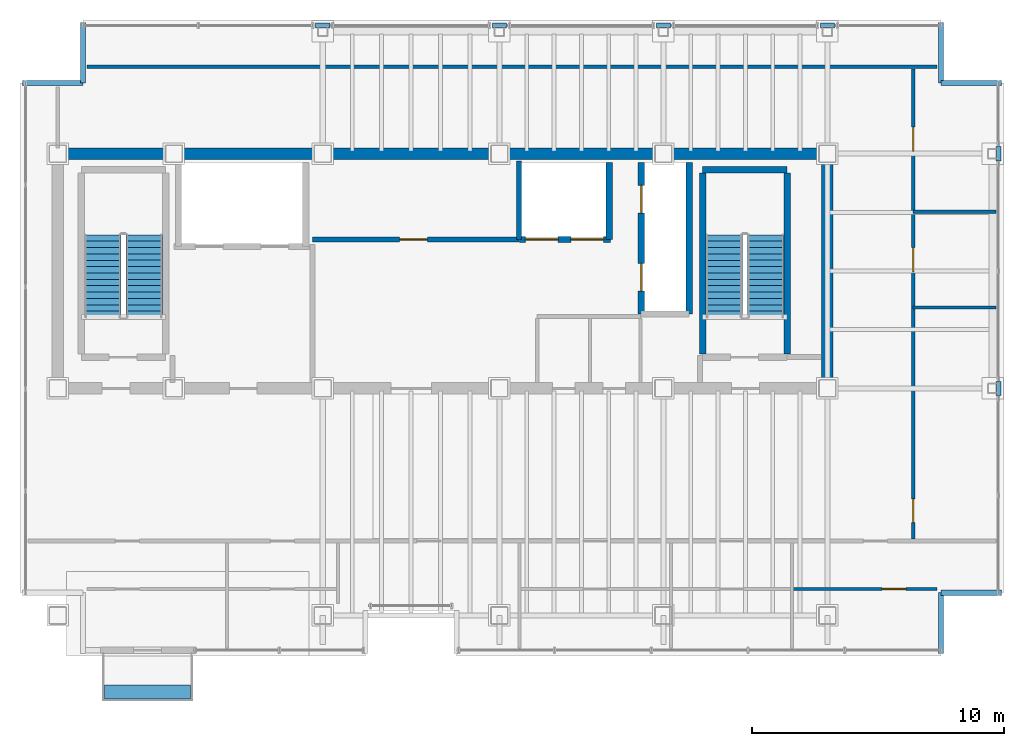
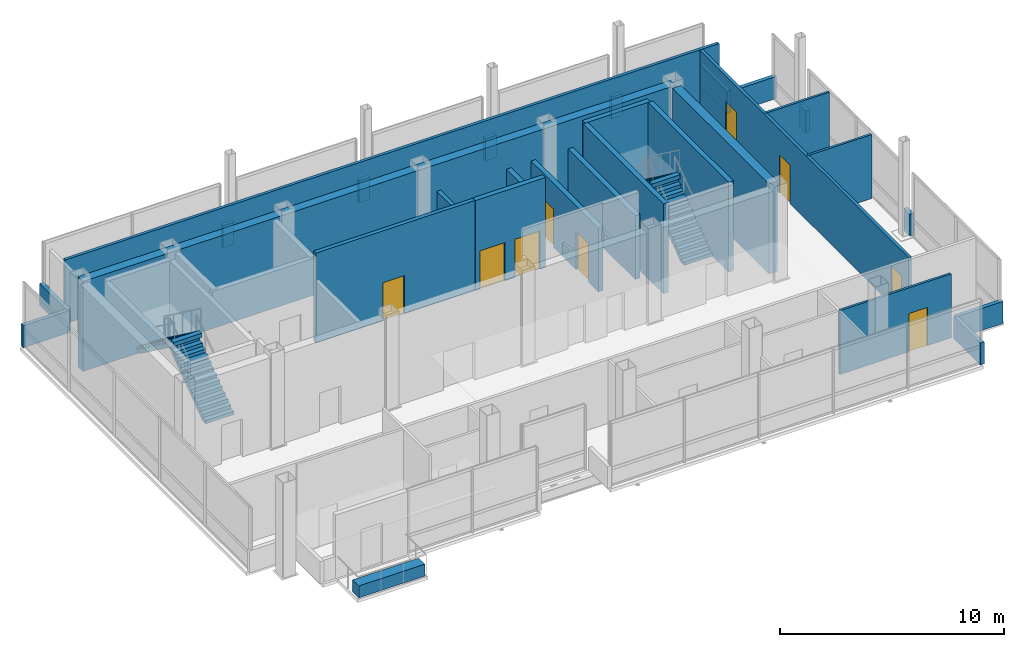
# One storey, part 16 of 17: 28 walls, 9 doors, 4 stair flights, 1 discrete accessory, 9 openings, 2 elements without a shape of their own.
"""IFC4 building model written with IfcOpenShell, lengths in metres."""

from ifc_helpers import new_model, si_unit, direction, frame, frame_2d, origin, origin_2d, place, context, subcontext, project, spatial, polyline, rectangle, outline, extrude, material, layer, layer_set, type_object, element, fill, aggregate, save


model = new_model("IFC4")

# Units and contexts
model_context = context("Model", 3, precision=1e-05, world=origin(), true_north=direction((0.0, 1.0)))
body_context = subcontext(model_context, "Body", "Model", "MODEL_VIEW")
ifc_project = project(units=[si_unit("LENGTHUNIT", "METRE"), si_unit("AREAUNIT", "SQUARE_METRE"), si_unit("VOLUMEUNIT", "CUBIC_METRE"), si_unit("PLANEANGLEUNIT", "RADIAN"), si_unit("MASSUNIT", "GRAM", prefix="KILO")], contexts=[model_context])

# Site, building, storey
site_placement = place(None, origin())
site = spatial("IfcSite", under=ifc_project, at=site_placement, CompositionType="ELEMENT")
building_placement = place(site_placement, origin())
building = spatial("IfcBuilding", under=site, at=building_placement, Name="Noeulbin Bourse Tower", CompositionType="ELEMENT")
storey_placement = place(building_placement, frame((0.0, 0.0, 300.800048828125)))
storey = spatial("IfcBuildingStorey", under=building, at=storey_placement, Name="L75", CompositionType="ELEMENT", Elevation=300.800048828125)

# Walls
ifc_material_1 = material(Name="Concrete C50/60", Category="concrete")
ifc_layer_1 = layer(ifc_material_1, 0.449951171875)
ifc_layer_set_1 = layer_set([ifc_layer_1], Name="Concrete C50/60")
wall_type_1 = type_object("IfcWallType", Name="WAL-CORE-450", PredefinedType="SHEAR", material=ifc_layer_set_1)
wall_1_placement = place(storey_placement, frame((13.5, 38.300048828125, 0.0), z_axis=(0.0, 0.0, 1.0), x_axis=(1.0, 0.0, 0.0)))
element("IfcWall", 1, at=wall_1_placement, inside=storey, type_object=wall_type_1, Name="Rear Core North Shear Wall L75", PredefinedType="SHEAR", context=body_context, shape_type="SweptSolid", body=[
    extrude(rectangle(XDim=30.5, YDim=0.449951171875, at=frame_2d((15.25, 0.0))), origin(), (0.0, 0.0, 1.0), 4.89990234375),
])
wall_2_placement = place(storey_placement, frame((44.0, 29.35009765625, 0.0), z_axis=(0.0, 0.0, 1.0), x_axis=(0.0, 1.0, 0.0)))
element("IfcWall", 2, at=wall_2_placement, inside=storey, type_object=wall_type_1, Name="Rear Core East Shear Wall L75", PredefinedType="SHEAR", context=body_context, shape_type="SweptSolid", body=[
    extrude(rectangle(XDim=8.599853515625, YDim=0.449951171875, at=frame_2d((4.2998046875, 0.0))), origin(), (0.0, 0.0, 1.0), 4.89990234375),
])

# Wall, opening, door
ifc_material_2 = material(Name="Concrete C40/50", Category="concrete")
ifc_layer_2 = layer(ifc_material_2, 0.199951171875)
ifc_layer_set_2 = layer_set([ifc_layer_2], Name="Concrete C40/50")
wall_type_2 = type_object("IfcWallType", Name="WAL-FIRE-200", PredefinedType="STANDARD", material=ifc_layer_set_2)
wall_3_placement = place(storey_placement, frame((23.60009765625, 34.89990234375, 0.0), z_axis=(0.0, 0.0, 1.0), x_axis=(1.0, 0.0, 0.0)))
wall_3 = element("IfcWall", 3, at=wall_3_placement, inside=storey, type_object=wall_type_2, Name="Interior Partition Wall L75-02", PredefinedType="STANDARD", context=body_context, shape_type="SweptSolid", body=[
    extrude(rectangle(XDim=8.179931640625, YDim=0.199951171875, at=frame_2d((4.08984375, 0.0))), origin(), (0.0, 0.0, 1.0), 4.89990234375),
])
opening_1_placement = place(wall_3_placement, frame((3.449951171875, 0.0, 0.0)))
opening_1 = element("IfcOpeningElement", 4, at=opening_1_placement, cuts=wall_3, Name="Opening FD-11", PredefinedType="OPENING", context=body_context, shape_type="SweptSolid", body=[
    extrude(rectangle(XDim=1.10009765625, YDim=2.080078125, at=frame_2d((0.550048828125, 1.0400390625))), frame((0.0, 0.10986328125, 0.0), z_axis=(0.0, -1.0, 0.0), x_axis=(1.0, 0.0, 0.0)), (0.0, 0.0, 1.0), 0.219970703125),
])
ifc_material_3 = material(Name="Fire-Rated Insulated Steel", Category="steel")
door_type_1 = type_object("IfcDoorType", Name="DR-FD60-1100", OperationType="SINGLE_SWING_LEFT", PredefinedType="DOOR", material=ifc_material_3)
door_1_placement = place(opening_1_placement, origin())
door_1 = element("IfcDoor", 5, at=door_1_placement, inside=storey, type_object=door_type_1, Name="Telemetry Server Door L75", OperationType="SINGLE_SWING_RIGHT", OverallHeight=2.080078125, OverallWidth=1.10009765625, PredefinedType="DOOR", context=body_context, shape_type="SweptSolid", body=[
    extrude(rectangle(XDim=1.10009765625, YDim=2.080078125, at=frame_2d((0.550048828125, 1.0400390625))), frame((0.0, 0.02490234375, 0.0), z_axis=(0.0, -1.0, 0.0), x_axis=(1.0, 0.0, 0.0)), (0.0, 0.0, 1.0), 0.050048828125),
])
fill(opening_1, door_1)

# Walls
ifc_layer_3 = layer(ifc_material_2, 0.199951171875)
ifc_layer_set_3 = layer_set([ifc_layer_3], Name="Concrete C40/50")
wall_type_3 = type_object("IfcWallType", Name="WAL-PAR-200", PredefinedType="PARAPET", material=ifc_layer_set_3)
for number, where, z_axis, x_axis, name in (
    (6, (23.719970703125, 43.3798828125, 0.0), (0.0, 0.0, 1.0), (1.0, 0.0, 0.0), "Perimeter Pier Spandrel Parapet L75-N1"),
    (7, (30.719970703125, 43.3798828125, 0.0), (0.0, 0.0, 1.0), (1.0, 0.0, 0.0), "Perimeter Pier Spandrel Parapet L75-N2"),
    (8, (37.219970703125, 43.3798828125, 0.0), (0.0, 0.0, 1.0), (1.0, 0.0, 0.0), "Perimeter Pier Spandrel Parapet L75-N3"),
    (9, (43.719970703125, 43.3798828125, 0.0), (0.0, 0.0, 1.0), (1.0, 0.0, 0.0), "Perimeter Pier Spandrel Parapet L75-N4"),
    (10, (50.780029296875, 28.719970703125, 0.0), (0.0, 0.0, 1.0), (0.0, 1.0, 0.0), "Perimeter Pier Spandrel Parapet L75-E5"),
    (11, (50.780029296875, 38.02001953125, 0.0), (0.0, 0.0, 1.0), (0.0, 1.0, 0.0), "Perimeter Pier Spandrel Parapet L75-E6"),
):
    element("IfcWall", number, at=place(storey_placement, frame(where, z_axis=z_axis, x_axis=x_axis)), inside=storey, type_object=wall_type_3, Name=name, PredefinedType="PARAPET", context=body_context, shape_type="SweptSolid", body=[
        extrude(rectangle(XDim=0.56005859375, YDim=0.199951171875, at=frame_2d((0.280029296875, 0.0))), origin(), (0.0, 0.0, 1.0), 1.199951171875),
    ])
for number, where, z_axis, x_axis, name in (
    (12, (48.5, 18.5, 0.0), (0.0, 0.0, 1.0), (0.0, 1.0, 0.0), "Corner Notch Parapet L75-SE1"),
    (13, (48.5, 20.89990234375, 0.0), (0.0, 0.0, 1.0), (1.0, 0.0, 0.0), "Corner Notch Parapet L75-SE2"),
    (14, (12.10009765625, 41.10009765625, 0.0), (0.0, 0.0, 1.0), (1.0, 0.0, 0.0), "Corner Notch Parapet L75-NW1"),
    (15, (14.5, 41.10009765625, 0.0), (0.0, 0.0, 1.0), (0.0, 1.0, 0.0), "Corner Notch Parapet L75-NW2"),
    (16, (48.5, 43.5, 0.0), (0.0, 0.0, 1.0), (0.0, -1.0, 0.0), "Corner Notch Parapet L75-NE1"),
    (17, (48.5, 41.10009765625, 0.0), (0.0, 0.0, 1.0), (1.0, 0.0, 0.0), "Corner Notch Parapet L75-NE2"),
):
    element("IfcWall", number, at=place(storey_placement, frame(where, z_axis=z_axis, x_axis=x_axis)), inside=storey, type_object=wall_type_3, Name=name, PredefinedType="PARAPET", context=body_context, shape_type="SweptSolid", body=[
        extrude(rectangle(XDim=2.39990234375, YDim=0.199951171875, at=frame_2d((1.199951171875, 0.0))), origin(), (0.0, 0.0, 1.0), 1.199951171875),
    ])

# Wall, opening, door
ifc_material_4 = material(Name="Steel Stud Gypsum Partition", Category="steel")
ifc_layer_4 = layer(ifc_material_4, 0.1201171875)
ifc_layer_set_4 = layer_set([ifc_layer_4], Name="Steel Stud Gypsum Partition")
wall_type_4 = type_object("IfcWallType", Name="WAL-PRT-120", PredefinedType="PARTITIONING", material=ifc_layer_set_4)
wall_4_placement = place(storey_placement, frame((42.60009765625, 21.050048828125, 0.0), z_axis=(0.0, 0.0, 1.0), x_axis=(1.0, 0.0, 0.0)))
wall_4 = element("IfcWall", 18, at=wall_4_placement, inside=storey, type_object=wall_type_4, Name="Interior Partition Wall L75-09", PredefinedType="PARTITIONING", context=body_context, shape_type="SweptSolid", body=[
    extrude(rectangle(XDim=5.739990234375, YDim=0.1201171875, at=frame_2d((2.8701171875, 0.0))), origin(), (0.0, 0.0, 1.0), 3.47998046875),
])
opening_2_placement = place(wall_4_placement, frame((3.570068359375, 0.0, 0.0)))
opening_2 = element("IfcOpeningElement", 19, at=opening_2_placement, cuts=wall_4, Name="Opening ID-09", PredefinedType="OPENING", context=body_context, shape_type="SweptSolid", body=[
    extrude(rectangle(XDim=0.949951171875, YDim=2.080078125, at=frame_2d((0.47509765625, 1.0400390625))), frame((0.0, 0.070068359375, 0.0), z_axis=(0.0, -1.0, 0.0), x_axis=(1.0, 0.0, 0.0)), (0.0, 0.0, 1.0), 0.14013671875),
])
ifc_material_5 = material(Name="Acoustic Solid-Core Timber", Category="wood")
door_type_2 = type_object("IfcDoorType", Name="DR-SINGLE-950", OperationType="SINGLE_SWING_LEFT", PredefinedType="DOOR", material=ifc_material_5)
door_2_placement = place(opening_2_placement, origin())
door_2 = element("IfcDoor", 20, at=door_2_placement, inside=storey, type_object=door_type_2, Name="Interior Door L75-17", OperationType="SINGLE_SWING_RIGHT", OverallHeight=2.080078125, OverallWidth=0.949951171875, PredefinedType="DOOR", context=body_context, shape_type="SweptSolid", body=[
    extrude(rectangle(XDim=0.949951171875, YDim=2.080078125, at=frame_2d((0.47509765625, 1.0400390625))), frame((0.0, 0.02490234375, 0.0), z_axis=(0.0, -1.0, 0.0), x_axis=(1.0, 0.0, 0.0)), (0.0, 0.0, 1.0), 0.050048828125),
])
fill(opening_2, door_2)

# Walls
for number, where, z_axis, x_axis, name in (
    (21, (47.39990234375, 32.199951171875, 0.0), (0.0, 0.0, 1.0), (1.0, 0.0, 0.0), "Interior Partition Wall L75-10"),
    (22, (47.39990234375, 36.0, 0.0), (0.0, 0.0, 1.0), (1.0, 0.0, 0.0), "Interior Partition Wall L75-11"),
):
    element("IfcWall", number, at=place(storey_placement, frame(where, z_axis=z_axis, x_axis=x_axis)), inside=storey, type_object=wall_type_4, Name=name, PredefinedType="PARTITIONING", context=body_context, shape_type="SweptSolid", body=[
        extrude(rectangle(XDim=3.2900390625, YDim=0.1201171875, at=frame_2d((1.64501953125, 0.0))), origin(), (0.0, 0.0, 1.0), 3.47998046875),
    ])
ifc_material_6 = material(Name="Steel Stud Acoustic Gypsum Board", Category="steel")
ifc_layer_5 = layer(ifc_material_6, 0.14990234375)
ifc_layer_set_5 = layer_set([ifc_layer_5], Name="Steel Stud Acoustic Gypsum Board")
wall_type_5 = type_object("IfcWallType", Name="WAL-PRT-150", PredefinedType="PARTITIONING", material=ifc_layer_set_5)
wall_5_placement = place(storey_placement, frame((14.659912109375, 41.75, 0.0), z_axis=(0.0, 0.0, 1.0), x_axis=(1.0, 0.0, 0.0)))
element("IfcWall", 23, at=wall_5_placement, inside=storey, type_object=wall_type_5, Name="Interior Partition Wall L75-12", PredefinedType="PARTITIONING", context=body_context, shape_type="SweptSolid", body=[
    extrude(rectangle(XDim=33.68017578125, YDim=0.14990234375, at=frame_2d((16.840087890625, 0.0))), origin(), (0.0, 0.0, 1.0), 3.47998046875),
])

# Wall, openings, doors
wall_6_placement = place(storey_placement, frame((47.39990234375, 23.034912109375, 0.0), z_axis=(0.0, 0.0, 1.0), x_axis=(0.0, 1.0, 0.0)))
wall_6 = element("IfcWall", 24, at=wall_6_placement, inside=storey, type_object=wall_type_5, Name="Interior Partition Wall L75-19", PredefinedType="PARTITIONING", context=body_context, shape_type="SweptSolid", body=[
    extrude(rectangle(XDim=18.630126953125, YDim=0.14990234375, at=frame_2d((9.31494140625, 0.0))), origin(), (0.0, 0.0, 1.0), 3.47998046875),
])
opening_3_placement = place(wall_6_placement, frame((0.639892578125, 0.0, 0.0)))
opening_3 = element("IfcOpeningElement", 25, at=opening_3_placement, cuts=wall_6, Name="Opening ID-09", PredefinedType="OPENING", context=body_context, shape_type="SweptSolid", body=[
    extrude(rectangle(XDim=0.949951171875, YDim=2.080078125, at=frame_2d((0.47509765625, 1.0400390625))), frame((0.0, 0.0849609375, 0.0), z_axis=(0.0, -1.0, 0.0), x_axis=(1.0, 0.0, 0.0)), (0.0, 0.0, 1.0), 0.169921875),
])
opening_4_placement = place(wall_6_placement, frame((10.590087890625, 0.0, 0.0)))
opening_4 = element("IfcOpeningElement", 26, at=opening_4_placement, cuts=wall_6, Name="Opening ID-09", PredefinedType="OPENING", context=body_context, shape_type="SweptSolid", body=[
    extrude(rectangle(XDim=0.949951171875, YDim=2.080078125, at=frame_2d((0.47509765625, 1.0400390625))), frame((0.0, 0.0849609375, 0.0), z_axis=(0.0, -1.0, 0.0), x_axis=(1.0, 0.0, 0.0)), (0.0, 0.0, 1.0), 0.169921875),
])
opening_5_placement = place(wall_6_placement, frame((15.364990234375, 0.0, 0.0)))
opening_5 = element("IfcOpeningElement", 27, at=opening_5_placement, cuts=wall_6, Name="Opening ID-09", PredefinedType="OPENING", context=body_context, shape_type="SweptSolid", body=[
    extrude(rectangle(XDim=0.949951171875, YDim=2.080078125, at=frame_2d((0.47509765625, 1.0400390625))), frame((0.0, 0.0849609375, 0.0), z_axis=(0.0, -1.0, 0.0), x_axis=(1.0, 0.0, 0.0)), (0.0, 0.0, 1.0), 0.169921875),
])
door_3_placement = place(opening_3_placement, origin())
door_3 = element("IfcDoor", 28, at=door_3_placement, inside=storey, type_object=door_type_2, Name="Interior Door L75-19", OperationType="SINGLE_SWING_RIGHT", OverallHeight=2.080078125, OverallWidth=0.949951171875, PredefinedType="DOOR", context=body_context, shape_type="SweptSolid", body=[
    extrude(rectangle(XDim=0.949951171875, YDim=2.080078125, at=frame_2d((0.47509765625, 1.0400390625))), frame((0.0, 0.02490234375, 0.0), z_axis=(0.0, -1.0, 0.0), x_axis=(1.0, 0.0, 0.0)), (0.0, 0.0, 1.0), 0.050048828125),
])
fill(opening_3, door_3)
door_4_placement = place(opening_4_placement, origin())
door_4 = element("IfcDoor", 29, at=door_4_placement, inside=storey, type_object=door_type_2, Name="Interior Door L75-20", OperationType="SINGLE_SWING_LEFT", OverallHeight=2.080078125, OverallWidth=0.949951171875, PredefinedType="DOOR", context=body_context, shape_type="SweptSolid", body=[
    extrude(rectangle(XDim=0.949951171875, YDim=2.080078125, at=frame_2d((0.47509765625, 1.0400390625))), frame((0.0, 0.02490234375, 0.0), z_axis=(0.0, -1.0, 0.0), x_axis=(1.0, 0.0, 0.0)), (0.0, 0.0, 1.0), 0.050048828125),
])
fill(opening_4, door_4)
door_5_placement = place(opening_5_placement, origin())
door_5 = element("IfcDoor", 30, at=door_5_placement, inside=storey, type_object=door_type_2, Name="Interior Door L75-21", OperationType="SINGLE_SWING_RIGHT", OverallHeight=2.080078125, OverallWidth=0.949951171875, PredefinedType="DOOR", context=body_context, shape_type="SweptSolid", body=[
    extrude(rectangle(XDim=0.949951171875, YDim=2.080078125, at=frame_2d((0.47509765625, 1.0400390625))), frame((0.0, 0.02490234375, 0.0), z_axis=(0.0, -1.0, 0.0), x_axis=(1.0, 0.0, 0.0)), (0.0, 0.0, 1.0), 0.050048828125),
])
fill(opening_5, door_5)

# Walls
ifc_layer_6 = layer(ifc_material_2, 0.25)
ifc_layer_set_6 = layer_set([ifc_layer_6], Name="Concrete C40/50")
wall_type_6 = type_object("IfcWallType", Name="WAL-SHFT-250", PredefinedType="STANDARD", material=ifc_layer_set_6)
wall_7_placement = place(storey_placement, frame((39.06005859375, 37.6689453125, 0.0), z_axis=(0.0, 0.0, 1.0), x_axis=(1.0, 0.0, 0.0)))
element("IfcWall", 31, at=wall_7_placement, inside=storey, type_object=wall_type_6, Name="Stair ST-2 North Shaft Wall L75", PredefinedType="STANDARD", context=body_context, shape_type="SweptSolid", body=[
    extrude(rectangle(XDim=3.33984375, YDim=0.25, at=frame_2d((1.669921875, 0.0))), origin(), (0.0, 0.0, 1.0), 4.89990234375),
])
for number, where, z_axis, x_axis, name in (
    (32, (39.054931640625, 30.360107421875, 0.0), (0.0, 0.0, 1.0), (0.0, 1.0, 0.0), "Stair ST-2 West Shaft Wall L75"),
    (33, (42.405029296875, 30.360107421875, 0.0), (0.0, 0.0, 1.0), (0.0, 1.0, 0.0), "Stair ST-2 East Shaft Wall L75"),
):
    element("IfcWall", number, at=place(storey_placement, frame(where, z_axis=z_axis, x_axis=x_axis)), inside=storey, type_object=wall_type_6, Name=name, PredefinedType="STANDARD", context=body_context, shape_type="SweptSolid", body=[
        extrude(rectangle(XDim=7.183837890625, YDim=0.25, at=frame_2d((3.591796875, 0.0))), origin(), (0.0, 0.0, 1.0), 4.89990234375),
    ])

# Wall, openings, doors
wall_8_placement = place(storey_placement, frame((36.6201171875, 31.949951171875, 0.0), z_axis=(0.0, 0.0, 1.0), x_axis=(0.0, 1.0, 0.0)))
wall_8 = element("IfcWall", 34, at=wall_8_placement, inside=storey, type_object=wall_type_6, Name="Service Lift Shaft Wall L75", PredefinedType="STANDARD", context=body_context, shape_type="SweptSolid", body=[
    extrude(rectangle(XDim=6.0, YDim=0.25, at=frame_2d((3.0, 0.0))), origin(), (0.0, 0.0, 1.0), 3.47998046875),
])
opening_6_placement = place(wall_8_placement, frame((0.89990234375, 0.0, 0.0)))
opening_6 = element("IfcOpeningElement", 35, at=opening_6_placement, cuts=wall_8, Name="Opening LD-11", PredefinedType="OPENING", context=body_context, shape_type="SweptSolid", body=[
    extrude(rectangle(XDim=1.10009765625, YDim=2.080078125, at=frame_2d((0.550048828125, 1.0400390625))), frame((0.0, 0.135009765625, 0.0), z_axis=(0.0, -1.0, 0.0), x_axis=(1.0, 0.0, 0.0)), (0.0, 0.0, 1.0), 0.27001953125),
])
opening_7_placement = place(wall_8_placement, frame((4.0, 0.0, 0.0)))
opening_7 = element("IfcOpeningElement", 36, at=opening_7_placement, cuts=wall_8, Name="Opening LD-11", PredefinedType="OPENING", context=body_context, shape_type="SweptSolid", body=[
    extrude(rectangle(XDim=1.10009765625, YDim=2.080078125, at=frame_2d((0.550048828125, 1.0400390625))), frame((0.0, 0.135009765625, 0.0), z_axis=(0.0, -1.0, 0.0), x_axis=(1.0, 0.0, 0.0)), (0.0, 0.0, 1.0), 0.27001953125),
])
ifc_material_7 = material(Name="Brushed Stainless Steel 316", Category="steel")
door_type_3 = type_object("IfcDoorType", Name="DR-LIFT-1100", OperationType="SLIDING_TO_LEFT", PredefinedType="DOOR", material=ifc_material_7)
door_6_placement = place(opening_6_placement, origin())
door_6 = element("IfcDoor", 37, at=door_6_placement, inside=storey, type_object=door_type_3, Name="Lift Landing Door LD-EL-01-L75", OperationType="SLIDING_TO_LEFT", OverallHeight=2.080078125, OverallWidth=1.10009765625, PredefinedType="DOOR", context=body_context, shape_type="SweptSolid", body=[
    extrude(rectangle(XDim=1.10009765625, YDim=2.080078125, at=frame_2d((0.550048828125, 1.0400390625))), frame((0.0, 0.02490234375, 0.0), z_axis=(0.0, -1.0, 0.0), x_axis=(1.0, 0.0, 0.0)), (0.0, 0.0, 1.0), 0.050048828125),
])
fill(opening_6, door_6)
door_7_placement = place(opening_7_placement, origin())
door_7 = element("IfcDoor", 38, at=door_7_placement, inside=storey, type_object=door_type_3, Name="Lift Landing Door LD-SV-01-L75", OperationType="SLIDING_TO_LEFT", OverallHeight=2.080078125, OverallWidth=1.10009765625, PredefinedType="DOOR", context=body_context, shape_type="SweptSolid", body=[
    extrude(rectangle(XDim=1.10009765625, YDim=2.080078125, at=frame_2d((0.550048828125, 1.0400390625))), frame((0.0, 0.02490234375, 0.0), z_axis=(0.0, -1.0, 0.0), x_axis=(1.0, 0.0, 0.0)), (0.0, 0.0, 1.0), 0.050048828125),
])
fill(opening_7, door_7)

# Walls
wall_9_placement = place(storey_placement, frame((38.52001953125, 31.949951171875, 0.0), z_axis=(0.0, 0.0, 1.0), x_axis=(0.0, 1.0, 0.0)))
element("IfcWall", 39, at=wall_9_placement, inside=storey, type_object=wall_type_6, Name="Service Lift East Shaft Wall L75", PredefinedType="STANDARD", context=body_context, shape_type="SweptSolid", body=[
    extrude(rectangle(XDim=6.0, YDim=0.25, at=frame_2d((3.0, 0.0))), origin(), (0.0, 0.0, 1.0), 3.47998046875),
])
wall_10_placement = place(storey_placement, frame((35.360107421875, 34.89990234375, 0.0), z_axis=(0.0, 0.0, 1.0), x_axis=(0.0, 1.0, 0.0)))
element("IfcWall", 40, at=wall_10_placement, inside=storey, type_object=wall_type_6, Name="High-Rise Lift East Shaft Wall L75", PredefinedType="STANDARD", context=body_context, shape_type="SweptSolid", body=[
    extrude(rectangle(XDim=3.050048828125, YDim=0.25, at=frame_2d((1.52490234375, 0.0))), origin(), (0.0, 0.0, 1.0), 3.47998046875),
])

# Wall, openings, doors
wall_11_placement = place(storey_placement, frame((31.800048828125, 34.89990234375, 0.0), z_axis=(0.0, 0.0, 1.0), x_axis=(1.0, 0.0, 0.0)))
wall_11 = element("IfcWall", 41, at=wall_11_placement, inside=storey, type_object=wall_type_6, Name="High-Rise Lift Bank Front L75", PredefinedType="STANDARD", context=body_context, shape_type="SweptSolid", body=[
    extrude(rectangle(XDim=3.599853515625, YDim=0.25, at=frame_2d((1.7998046875, 0.0))), origin(), (0.0, 0.0, 1.0), 4.89990234375),
])
opening_8_placement = place(wall_11_placement, frame((0.22998046875, 0.0, 0.0)))
opening_8 = element("IfcOpeningElement", 42, at=opening_8_placement, cuts=wall_11, Name="Opening LD-13", PredefinedType="OPENING", context=body_context, shape_type="SweptSolid", body=[
    extrude(rectangle(XDim=1.300048828125, YDim=2.080078125, at=frame_2d((0.64990234375, 1.0400390625))), frame((0.0, 0.135009765625, 0.0), z_axis=(0.0, -1.0, 0.0), x_axis=(1.0, 0.0, 0.0)), (0.0, 0.0, 1.0), 0.27001953125),
])
opening_9_placement = place(wall_11_placement, frame((2.030029296875, 0.0, 0.0)))
opening_9 = element("IfcOpeningElement", 43, at=opening_9_placement, cuts=wall_11, Name="Opening LD-13", PredefinedType="OPENING", context=body_context, shape_type="SweptSolid", body=[
    extrude(rectangle(XDim=1.300048828125, YDim=2.080078125, at=frame_2d((0.64990234375, 1.0400390625))), frame((0.0, 0.135009765625, 0.0), z_axis=(0.0, -1.0, 0.0), x_axis=(1.0, 0.0, 0.0)), (0.0, 0.0, 1.0), 0.27001953125),
])
door_type_4 = type_object("IfcDoorType", Name="DR-LIFT-1300", OperationType="DOUBLE_DOOR_SLIDING", PredefinedType="DOOR", material=ifc_material_7)
door_8_placement = place(opening_8_placement, origin())
door_8 = element("IfcDoor", 44, at=door_8_placement, inside=storey, type_object=door_type_4, Name="Lift Landing Door LD-PL-H1-L75", OperationType="DOUBLE_DOOR_SLIDING", OverallHeight=2.080078125, OverallWidth=1.300048828125, PredefinedType="DOOR", context=body_context, shape_type="SweptSolid", body=[
    extrude(rectangle(XDim=1.300048828125, YDim=2.080078125, at=frame_2d((0.64990234375, 1.0400390625))), frame((0.0, 0.02490234375, 0.0), z_axis=(0.0, -1.0, 0.0), x_axis=(1.0, 0.0, 0.0)), (0.0, 0.0, 1.0), 0.050048828125),
])
fill(opening_8, door_8)
door_9_placement = place(opening_9_placement, origin())
door_9 = element("IfcDoor", 45, at=door_9_placement, inside=storey, type_object=door_type_4, Name="Lift Landing Door LD-PL-H2-L75", OperationType="DOUBLE_DOOR_SLIDING", OverallHeight=2.080078125, OverallWidth=1.300048828125, PredefinedType="DOOR", context=body_context, shape_type="SweptSolid", body=[
    extrude(rectangle(XDim=1.300048828125, YDim=2.080078125, at=frame_2d((0.64990234375, 1.0400390625))), frame((0.0, 0.02490234375, 0.0), z_axis=(0.0, -1.0, 0.0), x_axis=(1.0, 0.0, 0.0)), (0.0, 0.0, 1.0), 0.050048828125),
])
fill(opening_9, door_9)

# Wall
wall_12_placement = place(storey_placement, frame((31.780029296875, 34.89990234375, 0.0), z_axis=(0.0, 0.0, 1.0), x_axis=(0.0, 1.0, 0.0)))
element("IfcWall", 46, at=wall_12_placement, inside=storey, type_object=wall_type_6, Name="Hoistway Side Shaft Wall L75-PLHW", PredefinedType="STANDARD", context=body_context, shape_type="SweptSolid", body=[
    extrude(rectangle(XDim=3.1201171875, YDim=0.199951171875, at=frame_2d((1.56005859375, 0.0))), origin(), (0.0, 0.0, 1.0), 3.47998046875),
])

# Stair, stair flights
stair_type = type_object("IfcStairType", Name="STR-CORE-1560", PredefinedType="HALF_TURN_STAIR", material=ifc_material_2)
stair_1_placement = place(storey_placement, origin())
stair_1 = element("IfcStair", 47, at=stair_1_placement, inside=storey, type_object=stair_type, Name="L75 ST-1", PredefinedType="HALF_TURN_STAIR")
stair_flight_type = type_object("IfcStairFlightType", Name="SFL-CORE-1560", PredefinedType="STRAIGHT", material=ifc_material_2)
stair_flight_1_placement = place(storey_placement, frame((16.925048828125, 31.81005859375, 0.0), z_axis=(0.0, 0.0, 1.0), x_axis=(0.0, 1.0, 0.0)))
stair_flight_1 = element("IfcStairFlight", 48, at=stair_flight_1_placement, type_object=stair_flight_type, Name="ST-1 flight 1", NumberOfRisers=14, NumberOfTreads=13, PredefinedType="STRAIGHT", RiserHeight=0.185714286, TreadLength=0.252, context=body_context, shape_type="SweptSolid", body=[
    extrude(outline(polyline([(0.0, 0.0), (0.0, 0.185791015625), (0.251953125, 0.185791015625), (0.251953125, 0.371337890625), (0.50390625, 0.371337890625), (0.50390625, 0.55712890625), (0.756103515625, 0.55712890625), (0.756103515625, 0.742919921875), (1.008056640625, 0.742919921875), (1.008056640625, 0.928466796875), (1.260009765625, 0.928466796875), (1.260009765625, 1.1142578125), (1.511962890625, 1.1142578125), (1.511962890625, 1.300048828125), (1.763916015625, 1.300048828125), (1.763916015625, 1.485595703125), (2.01611328125, 1.485595703125), (2.01611328125, 1.67138671875), (2.26806640625, 1.67138671875), (2.26806640625, 1.857177734375), (2.52001953125, 1.857177734375), (2.52001953125, 2.04296875), (2.77197265625, 2.04296875), (2.77197265625, 2.228515625), (3.02392578125, 2.228515625), (3.02392578125, 2.414306640625), (3.27587890625, 2.414306640625), (3.27587890625, 2.60009765625), (3.27587890625, 2.190673828125), (0.30322265625, 0.0), (0.0, 0.0)])), frame((0.0, 0.72509765625, 0.0), z_axis=(0.0, -1.0, 0.0), x_axis=(1.0, 0.0, 0.0)), (0.0, 0.0, 1.0), 1.449951171875),
])
stair_flight_2_placement = place(storey_placement, frame((15.27490234375, 35.0859375, 2.599853515625), z_axis=(0.0, 0.0, 1.0), x_axis=(0.0, -1.0, 0.0)))
stair_flight_2 = element("IfcStairFlight", 49, at=stair_flight_2_placement, type_object=stair_flight_type, Name="ST-1 flight 2", NumberOfRisers=14, NumberOfTreads=13, PredefinedType="STRAIGHT", RiserHeight=0.185714286, TreadLength=0.252, context=body_context, shape_type="SweptSolid", body=[
    extrude(outline(polyline([(0.0, 0.0), (0.0, 0.185791015625), (0.251953125, 0.185791015625), (0.251953125, 0.371337890625), (0.50390625, 0.371337890625), (0.50390625, 0.55712890625), (0.756103515625, 0.55712890625), (0.756103515625, 0.742919921875), (1.008056640625, 0.742919921875), (1.008056640625, 0.928466796875), (1.260009765625, 0.928466796875), (1.260009765625, 1.1142578125), (1.511962890625, 1.1142578125), (1.511962890625, 1.300048828125), (1.763916015625, 1.300048828125), (1.763916015625, 1.485595703125), (2.01611328125, 1.485595703125), (2.01611328125, 1.67138671875), (2.26806640625, 1.67138671875), (2.26806640625, 1.857177734375), (2.52001953125, 1.857177734375), (2.52001953125, 2.04296875), (2.77197265625, 2.04296875), (2.77197265625, 2.228515625), (3.02392578125, 2.228515625), (3.02392578125, 2.414306640625), (3.27587890625, 2.414306640625), (3.27587890625, 2.60009765625), (3.27587890625, 2.190673828125), (0.30322265625, 0.0), (0.0, 0.0)])), frame((0.0, 0.72509765625, 0.0), z_axis=(0.0, -1.0, 0.0), x_axis=(1.0, 0.0, 0.0)), (0.0, 0.0, 1.0), 1.449951171875),
])
aggregate(stair_1, [stair_flight_1, stair_flight_2])

stair_2_placement = place(storey_placement, origin())
stair_2 = element("IfcStair", 50, at=stair_2_placement, inside=storey, type_object=stair_type, Name="L75 ST-2", PredefinedType="HALF_TURN_STAIR")
stair_flight_3_placement = place(storey_placement, frame((41.554931640625, 31.81005859375, 0.0), z_axis=(0.0, 0.0, 1.0), x_axis=(0.0, 1.0, 0.0)))
stair_flight_3 = element("IfcStairFlight", 51, at=stair_flight_3_placement, type_object=stair_flight_type, Name="ST-2 flight 1", NumberOfRisers=14, NumberOfTreads=13, PredefinedType="STRAIGHT", RiserHeight=0.185714286, TreadLength=0.252, context=body_context, shape_type="SweptSolid", body=[
    extrude(outline(polyline([(0.0, 0.0), (0.0, 0.185791015625), (0.251953125, 0.185791015625), (0.251953125, 0.371337890625), (0.50390625, 0.371337890625), (0.50390625, 0.55712890625), (0.756103515625, 0.55712890625), (0.756103515625, 0.742919921875), (1.008056640625, 0.742919921875), (1.008056640625, 0.928466796875), (1.260009765625, 0.928466796875), (1.260009765625, 1.1142578125), (1.511962890625, 1.1142578125), (1.511962890625, 1.300048828125), (1.763916015625, 1.300048828125), (1.763916015625, 1.485595703125), (2.01611328125, 1.485595703125), (2.01611328125, 1.67138671875), (2.26806640625, 1.67138671875), (2.26806640625, 1.857177734375), (2.52001953125, 1.857177734375), (2.52001953125, 2.04296875), (2.77197265625, 2.04296875), (2.77197265625, 2.228515625), (3.02392578125, 2.228515625), (3.02392578125, 2.414306640625), (3.27587890625, 2.414306640625), (3.27587890625, 2.60009765625), (3.27587890625, 2.190673828125), (0.30322265625, 0.0), (0.0, 0.0)])), frame((0.0, 0.72509765625, 0.0), z_axis=(0.0, -1.0, 0.0), x_axis=(1.0, 0.0, 0.0)), (0.0, 0.0, 1.0), 1.449951171875),
])
stair_flight_4_placement = place(storey_placement, frame((39.905029296875, 35.0859375, 2.599853515625), z_axis=(0.0, 0.0, 1.0), x_axis=(0.0, -1.0, 0.0)))
stair_flight_4 = element("IfcStairFlight", 52, at=stair_flight_4_placement, type_object=stair_flight_type, Name="ST-2 flight 2", NumberOfRisers=14, NumberOfTreads=13, PredefinedType="STRAIGHT", RiserHeight=0.185714286, TreadLength=0.252, context=body_context, shape_type="SweptSolid", body=[
    extrude(outline(polyline([(0.0, 0.0), (0.0, 0.185791015625), (0.251953125, 0.185791015625), (0.251953125, 0.371337890625), (0.50390625, 0.371337890625), (0.50390625, 0.55712890625), (0.756103515625, 0.55712890625), (0.756103515625, 0.742919921875), (1.008056640625, 0.742919921875), (1.008056640625, 0.928466796875), (1.260009765625, 0.928466796875), (1.260009765625, 1.1142578125), (1.511962890625, 1.1142578125), (1.511962890625, 1.300048828125), (1.763916015625, 1.300048828125), (1.763916015625, 1.485595703125), (2.01611328125, 1.485595703125), (2.01611328125, 1.67138671875), (2.26806640625, 1.67138671875), (2.26806640625, 1.857177734375), (2.52001953125, 1.857177734375), (2.52001953125, 2.04296875), (2.77197265625, 2.04296875), (2.77197265625, 2.228515625), (3.02392578125, 2.228515625), (3.02392578125, 2.414306640625), (3.27587890625, 2.414306640625), (3.27587890625, 2.60009765625), (3.27587890625, 2.190673828125), (0.30322265625, 0.0), (0.0, 0.0)])), frame((0.0, 0.72509765625, 0.0), z_axis=(0.0, -1.0, 0.0), x_axis=(1.0, 0.0, 0.0)), (0.0, 0.0, 1.0), 1.449951171875),
])
aggregate(stair_2, [stair_flight_3, stair_flight_4])

# Discrete accessory
ifc_material_8 = material(Name="Architectural GFRC Concrete C40/50", Category="concrete")
ifc_layer_7 = layer(ifc_material_8, 0.64990234375)
ifc_layer_set_7 = layer_set([ifc_layer_7], Name="Architectural GFRC Concrete C40/50")
discrete_accessory_type = type_object("IfcDiscreteAccessoryType", Name="PLANTER-BOX-3600", PredefinedType="USERDEFINED", material=ifc_layer_set_7)
discrete_accessory_placement = place(storey_placement, frame((17.050048828125, 16.9599609375, 0.0), z_axis=(0.0, 0.0, 1.0), x_axis=(1.0, 0.0, 0.0)))
element("IfcDiscreteAccessory", 53, at=discrete_accessory_placement, inside=storey, type_object=discrete_accessory_type, Name="Integrated Balcony Tree Planter Box L75", ObjectType="PLANTER", PredefinedType="USERDEFINED", context=body_context, shape_type="SweptSolid", body=[
    extrude(rectangle(XDim=3.39990234375, YDim=0.550048828125, at=origin_2d()), origin(), (0.0, 0.0, 1.0), 0.64990234375),
])

save(model, "model.ifc")
